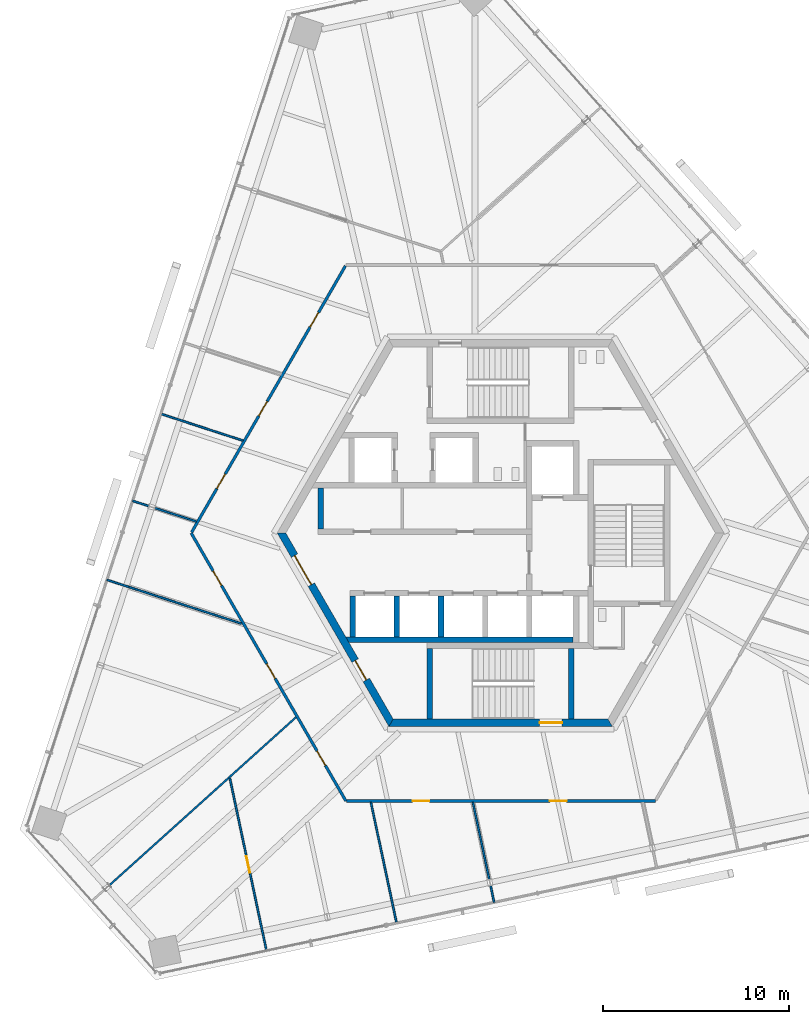
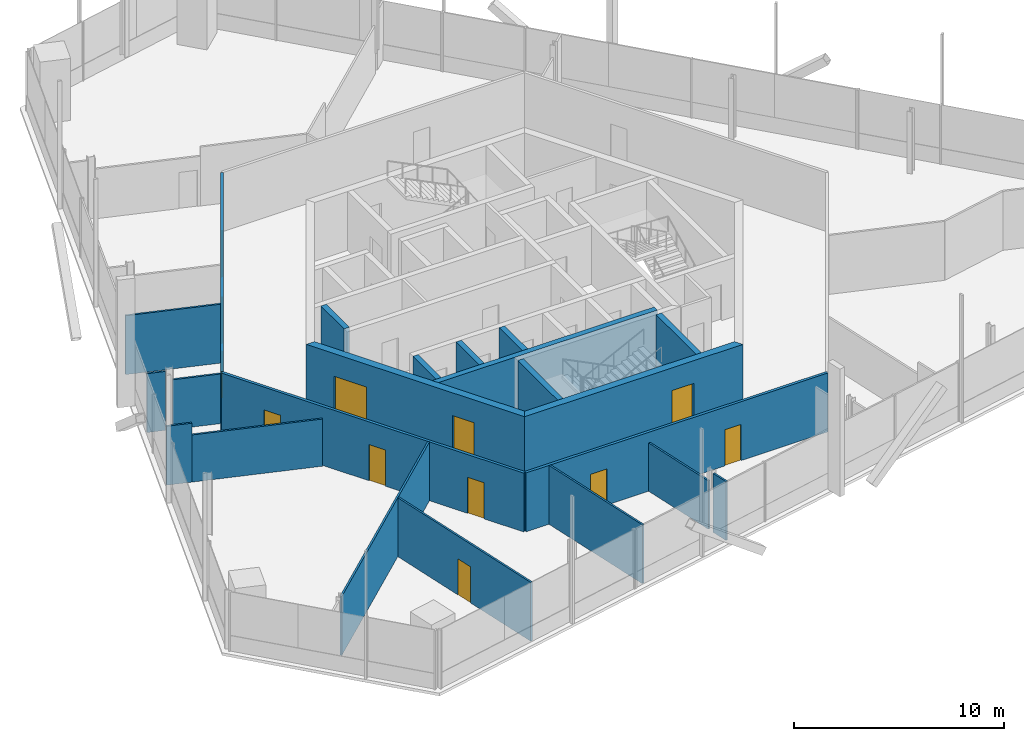
# One storey, part 10 of 17: 22 walls, 12 doors, 12 openings.
"""IFC4 building model written with IfcOpenShell, lengths in metres."""

from ifc_helpers import new_model, si_unit, direction, frame, frame_2d, origin, place, context, subcontext, project, spatial, polyline, rectangle, outline, extrude, source, transform, mapped, material, layer, layer_set, type_object, element, fill, save


model = new_model("IFC4")

# Units and contexts
model_context = context("Model", 3, precision=1e-05, world=origin(), true_north=direction((0.0, 1.0)))
body_context = subcontext(model_context, "Body", "Model", "MODEL_VIEW")
ifc_project = project(units=[si_unit("LENGTHUNIT", "METRE"), si_unit("AREAUNIT", "SQUARE_METRE"), si_unit("VOLUMEUNIT", "CUBIC_METRE"), si_unit("PLANEANGLEUNIT", "RADIAN"), si_unit("MASSUNIT", "GRAM", prefix="KILO")], contexts=[model_context])

# Site, building, storey
site_placement = place(None, origin())
site = spatial("IfcSite", under=ifc_project, at=site_placement, CompositionType="ELEMENT")
building_placement = place(site_placement, origin())
building = spatial("IfcBuilding", under=site, at=building_placement, Name="Triune Harvest Tower", CompositionType="ELEMENT")
storey_placement = place(building_placement, frame((0.0, 0.0, 281.10009765625)))
storey = spatial("IfcBuildingStorey", under=building, at=storey_placement, Name="L74", CompositionType="ELEMENT", Elevation=281.10009765625)

# Walls
ifc_material_1 = material(Name="Concrete 70 MPa", Category="concrete")
ifc_layer_1 = layer(ifc_material_1, 0.300048828125)
ifc_layer_set_1 = layer_set([ifc_layer_1], Name="Concrete 70 MPa")
wall_type_1 = type_object("IfcWallType", Name="Core wall 300", PredefinedType="SHEAR", material=ifc_layer_set_1)
wall_1_placement = place(storey_placement, frame((-8.10009765625, -5.739990234375, 0.0), z_axis=(0.0, 0.0, 1.0), x_axis=(1.0, 0.0, 0.0)))
element("IfcWall", 1, at=wall_1_placement, inside=storey, type_object=wall_type_1, Name="South back wall", PredefinedType="SHEAR", context=body_context, shape_type="SweptSolid", body=[
    extrude(outline(polyline([(12.0, -0.14990234375), (-0.039794921875, -0.14990234375), (-0.212890625, 0.14990234375), (12.0, 0.14990234375), (12.0, -0.14990234375)])), origin(), (0.0, 0.0, 1.0), 3.419921875),
])
wall_2_placement = place(storey_placement, frame((-9.64990234375, 0.2099609375, 0.0), z_axis=(0.0, 0.0, 1.0), x_axis=(0.0, 1.0, 0.0)))
element("IfcWall", 2, at=wall_2_placement, inside=storey, type_object=wall_type_1, Name="North end west wall", PredefinedType="SHEAR", context=body_context, shape_type="SweptSolid", body=[
    extrude(rectangle(XDim=2.199951171875, YDim=0.300048828125, at=frame_2d((1.10009765625, 0.0))), origin(), (0.0, 0.0, 1.0), 3.419921875),
])

# Wall, openings, doors
ifc_material_2 = material(Name="Gypsum board on steel studs", Category="steel")
ifc_layer_2 = layer(ifc_material_2, 0.14990234375)
ifc_layer_set_2 = layer_set([ifc_layer_2], Name="Gypsum board on steel studs")
wall_type_2 = type_object("IfcWallType", Name="Fire Partition 150 mm", PredefinedType="PARTITIONING", material=ifc_layer_set_2)
wall_3_placement = place(storey_placement, frame((-16.618896484375, 0.000244140625, 0.0), z_axis=(0.0, 0.0, 1.0), x_axis=(0.500000517071, -0.866025105253, 0.0)))
wall_3 = element("IfcWall", 3, at=wall_3_placement, inside=storey, type_object=wall_type_2, Name="Partition L74 009", PredefinedType="PARTITIONING", context=body_context, shape_type="SweptSolid", body=[
    extrude(rectangle(XDim=16.619140625, YDim=0.14990234375, at=frame_2d((8.3095703125, 0.0))), origin(), (0.0, 0.0, 1.0), 3.419921875),
])
opening_1_placement = place(wall_3_placement, frame((8.117919921875, 0.0, 0.0)))
opening_1 = element("IfcOpeningElement", 4, at=opening_1_placement, cuts=wall_3, Name="Opening L74-007", PredefinedType="OPENING", context=body_context, shape_type="SweptSolid", body=[
    extrude(rectangle(XDim=0.89990234375, YDim=2.10009765625, at=frame_2d((0.449951171875, 1.050048828125))), frame((0.0, 0.0849609375, 0.0), z_axis=(0.0, -1.0, 0.0), x_axis=(1.0, 0.0, 0.0)), (0.0, 0.0, 1.0), 0.169921875),
])
opening_2_placement = place(wall_3_placement, frame((2.35009765625, 0.0, 0.0)))
opening_2 = element("IfcOpeningElement", 5, at=opening_2_placement, cuts=wall_3, Name="Opening L74-008", PredefinedType="OPENING", context=body_context, shape_type="SweptSolid", body=[
    extrude(rectangle(XDim=0.89990234375, YDim=2.10009765625, at=frame_2d((0.449951171875, 1.050048828125))), frame((0.0, 0.0849609375, 0.0), z_axis=(0.0, -1.0, 0.0), x_axis=(1.0, 0.0, 0.0)), (0.0, 0.0, 1.0), 0.169921875),
])
opening_3_placement = place(wall_3_placement, frame((13.518798828125, 0.0, 0.0)))
opening_3 = element("IfcOpeningElement", 6, at=opening_3_placement, cuts=wall_3, Name="Opening L74-010", PredefinedType="OPENING", context=body_context, shape_type="SweptSolid", body=[
    extrude(rectangle(XDim=0.89990234375, YDim=2.10009765625, at=frame_2d((0.449951171875, 1.050048828125))), frame((0.0, 0.0849609375, 0.0), z_axis=(0.0, -1.0, 0.0), x_axis=(1.0, 0.0, 0.0)), (0.0, 0.0, 1.0), 0.169921875),
])
ifc_material_3 = material(Name="Timber and steel door set", Category="steel")
door_type_1 = type_object("IfcDoorType", Name="Single leaf door FD30 left hand 900 x 2100", OperationType="SINGLE_SWING_LEFT", PredefinedType="DOOR", material=ifc_material_3)
door_1_placement = place(opening_1_placement, origin())
door_1 = element("IfcDoor", 7, at=door_1_placement, inside=storey, type_object=door_type_1, Name="Door L74-007 Office 74.07", OperationType="SINGLE_SWING_LEFT", OverallHeight=2.10009765625, OverallWidth=0.89990234375, PredefinedType="DOOR", context=body_context, shape_type="SweptSolid", body=[
    extrude(rectangle(XDim=0.89990234375, YDim=2.10009765625, at=frame_2d((0.449951171875, 1.050048828125))), frame((0.0, 0.02490234375, 0.0), z_axis=(0.0, -1.0, 0.0), x_axis=(1.0, 0.0, 0.0)), (0.0, 0.0, 1.0), 0.050048828125),
])
fill(opening_1, door_1)
door_2_placement = place(opening_3_placement, origin())
door_2 = element("IfcDoor", 8, at=door_2_placement, inside=storey, type_object=door_type_1, Name="Door L74-010 Office 74.10", OperationType="SINGLE_SWING_LEFT", OverallHeight=2.10009765625, OverallWidth=0.89990234375, PredefinedType="DOOR", context=body_context, shape_type="SweptSolid", body=[
    extrude(rectangle(XDim=0.89990234375, YDim=2.10009765625, at=frame_2d((0.449951171875, 1.050048828125))), frame((0.0, 0.02490234375, 0.0), z_axis=(0.0, -1.0, 0.0), x_axis=(1.0, 0.0, 0.0)), (0.0, 0.0, 1.0), 0.050048828125),
])
fill(opening_3, door_2)
ifc_material_4 = material(Name="Timber and steel door set", Category="steel")
door_type_2 = type_object("IfcDoorType", Name="Single leaf door FD30 right hand 900 x 2100", OperationType="SINGLE_SWING_RIGHT", PredefinedType="DOOR", material=ifc_material_4)
door_3_placement = place(opening_2_placement, origin())
door_3 = element("IfcDoor", 9, at=door_3_placement, inside=storey, type_object=door_type_2, Name="Door L74-008 Office 74.08", OperationType="SINGLE_SWING_RIGHT", OverallHeight=2.10009765625, OverallWidth=0.89990234375, PredefinedType="DOOR", context=body_context, shape_type="SweptSolid", body=[
    extrude(rectangle(XDim=0.89990234375, YDim=2.10009765625, at=frame_2d((0.449951171875, 1.050048828125))), frame((0.0, 0.02490234375, 0.0), z_axis=(0.0, -1.0, 0.0), x_axis=(1.0, 0.0, 0.0)), (0.0, 0.0, 1.0), 0.050048828125),
])
fill(opening_2, door_3)

wall_4_placement = place(storey_placement, frame((-8.269287109375, -14.392333984375, 0.0), z_axis=(0.0, 0.0, 1.0), x_axis=(1.0, 0.0, 0.0)))
wall_4 = element("IfcWall", 10, at=wall_4_placement, inside=storey, type_object=wall_type_2, Name="Partition L74 021", PredefinedType="PARTITIONING", context=body_context, shape_type="SweptSolid", body=[
    extrude(rectangle(XDim=16.57861328125, YDim=0.14990234375, at=frame_2d((8.289306640625, 0.0))), origin(), (0.0, 0.0, 1.0), 3.419921875),
])
opening_4_placement = place(wall_4_placement, frame((3.538330078125, 0.0, 0.0)))
opening_4 = element("IfcOpeningElement", 11, at=opening_4_placement, cuts=wall_4, Name="Opening L74-011", PredefinedType="OPENING", context=body_context, shape_type="SweptSolid", body=[
    extrude(rectangle(XDim=0.89990234375, YDim=2.10009765625, at=frame_2d((0.449951171875, 1.050048828125))), frame((0.0, 0.0849609375, 0.0), z_axis=(0.0, -1.0, 0.0), x_axis=(1.0, 0.0, 0.0)), (0.0, 0.0, 1.0), 0.169921875),
])
opening_5_placement = place(wall_4_placement, frame((10.914794921875, 0.0, 0.0)))
opening_5 = element("IfcOpeningElement", 12, at=opening_5_placement, cuts=wall_4, Name="Opening L74-012", PredefinedType="OPENING", context=body_context, shape_type="SweptSolid", body=[
    extrude(rectangle(XDim=0.89990234375, YDim=2.10009765625, at=frame_2d((0.449951171875, 1.050048828125))), frame((0.0, 0.0849609375, 0.0), z_axis=(0.0, -1.0, 0.0), x_axis=(1.0, 0.0, 0.0)), (0.0, 0.0, 1.0), 0.169921875),
])
door_4_placement = place(opening_5_placement, origin())
door_4 = element("IfcDoor", 13, at=door_4_placement, inside=storey, type_object=door_type_1, Name="Door L74-012 Board Room 74.12", OperationType="SINGLE_SWING_LEFT", OverallHeight=2.10009765625, OverallWidth=0.89990234375, PredefinedType="DOOR", context=body_context, shape_type="SweptSolid", body=[
    extrude(rectangle(XDim=0.89990234375, YDim=2.10009765625, at=frame_2d((0.449951171875, 1.050048828125))), frame((0.0, 0.02490234375, 0.0), z_axis=(0.0, -1.0, 0.0), x_axis=(1.0, 0.0, 0.0)), (0.0, 0.0, 1.0), 0.050048828125),
])
fill(opening_5, door_4)
door_5_placement = place(opening_4_placement, origin())
door_5 = element("IfcDoor", 14, at=door_5_placement, inside=storey, type_object=door_type_2, Name="Door L74-011 Office 74.11", OperationType="SINGLE_SWING_RIGHT", OverallHeight=2.10009765625, OverallWidth=0.89990234375, PredefinedType="DOOR", context=body_context, shape_type="SweptSolid", body=[
    extrude(rectangle(XDim=0.89990234375, YDim=2.10009765625, at=frame_2d((0.449951171875, 1.050048828125))), frame((0.0, 0.02490234375, 0.0), z_axis=(0.0, -1.0, 0.0), x_axis=(1.0, 0.0, 0.0)), (0.0, 0.0, 1.0), 0.050048828125),
])
fill(opening_4, door_5)

wall_5_placement = place(storey_placement, frame((-16.59375, 0.043212890625, 0.0), z_axis=(0.0, 0.0, 1.0), x_axis=(0.499995384604, 0.866028068468, 0.0)))
wall_5 = element("IfcWall", 15, at=wall_5_placement, inside=storey, type_object=wall_type_2, Name="Partition L74 031", PredefinedType="PARTITIONING", context=body_context, shape_type="SweptSolid", body=[
    extrude(rectangle(XDim=16.518798828125, YDim=0.14990234375, at=frame_2d((8.25927734375, 0.0))), origin(), (0.0, 0.0, 1.0), 3.419921875),
])
opening_6_placement = place(wall_5_placement, frame((12.71875, 0.0, 0.0)))
opening_6 = element("IfcOpeningElement", 16, at=opening_6_placement, cuts=wall_5, Name="Opening L74-004", PredefinedType="OPENING", context=body_context, shape_type="SweptSolid", body=[
    extrude(rectangle(XDim=0.89990234375, YDim=2.10009765625, at=frame_2d((0.449951171875, 1.050048828125))), frame((0.0, 0.0849609375, 0.0), z_axis=(0.0, -1.0, 0.0), x_axis=(1.0, 0.0, 0.0)), (0.0, 0.0, 1.0), 0.169921875),
])
opening_7_placement = place(wall_5_placement, frame((2.70654296875, 0.0, 0.0)))
opening_7 = element("IfcOpeningElement", 17, at=opening_7_placement, cuts=wall_5, Name="Opening L74-005", PredefinedType="OPENING", context=body_context, shape_type="SweptSolid", body=[
    extrude(rectangle(XDim=0.89990234375, YDim=2.10009765625, at=frame_2d((0.449951171875, 1.050048828125))), frame((0.0, 0.0849609375, 0.0), z_axis=(0.0, -1.0, 0.0), x_axis=(1.0, 0.0, 0.0)), (0.0, 0.0, 1.0), 0.169921875),
])
opening_8_placement = place(wall_5_placement, frame((7.2138671875, 0.0, 0.0)))
opening_8 = element("IfcOpeningElement", 18, at=opening_8_placement, cuts=wall_5, Name="Opening L74-006", PredefinedType="OPENING", context=body_context, shape_type="SweptSolid", body=[
    extrude(rectangle(XDim=0.89990234375, YDim=2.10009765625, at=frame_2d((0.449951171875, 1.050048828125))), frame((0.0, 0.0849609375, 0.0), z_axis=(0.0, -1.0, 0.0), x_axis=(1.0, 0.0, 0.0)), (0.0, 0.0, 1.0), 0.169921875),
])
door_6_placement = place(opening_7_placement, origin())
door_6 = element("IfcDoor", 19, at=door_6_placement, inside=storey, type_object=door_type_1, Name="Door L74-005 Office 74.05", OperationType="SINGLE_SWING_LEFT", OverallHeight=2.10009765625, OverallWidth=0.89990234375, PredefinedType="DOOR", context=body_context, shape_type="SweptSolid", body=[
    extrude(rectangle(XDim=0.89990234375, YDim=2.10009765625, at=frame_2d((0.449951171875, 1.050048828125))), frame((0.0, 0.02490234375, 0.0), z_axis=(0.0, -1.0, 0.0), x_axis=(1.0, 0.0, 0.0)), (0.0, 0.0, 1.0), 0.050048828125),
])
fill(opening_7, door_6)
door_7_placement = place(opening_8_placement, origin())
door_7 = element("IfcDoor", 20, at=door_7_placement, inside=storey, type_object=door_type_1, Name="Door L74-006 Office 74.06", OperationType="SINGLE_SWING_LEFT", OverallHeight=2.10009765625, OverallWidth=0.89990234375, PredefinedType="DOOR", context=body_context, shape_type="SweptSolid", body=[
    extrude(rectangle(XDim=0.89990234375, YDim=2.10009765625, at=frame_2d((0.449951171875, 1.050048828125))), frame((0.0, 0.02490234375, 0.0), z_axis=(0.0, -1.0, 0.0), x_axis=(1.0, 0.0, 0.0)), (0.0, 0.0, 1.0), 0.050048828125),
])
fill(opening_8, door_7)
door_8_placement = place(opening_6_placement, origin())
door_8 = element("IfcDoor", 21, at=door_8_placement, inside=storey, type_object=door_type_2, Name="Door L74-004 Pantry 74.04", OperationType="SINGLE_SWING_RIGHT", OverallHeight=2.10009765625, OverallWidth=0.89990234375, PredefinedType="DOOR", context=body_context, shape_type="SweptSolid", body=[
    extrude(rectangle(XDim=0.89990234375, YDim=2.10009765625, at=frame_2d((0.449951171875, 1.050048828125))), frame((0.0, 0.02490234375, 0.0), z_axis=(0.0, -1.0, 0.0), x_axis=(1.0, 0.0, 0.0)), (0.0, 0.0, 1.0), 0.050048828125),
])
fill(opening_6, door_8)

# Wall, opening, door
ifc_material_5 = material(Name="Gypsum board on steel studs", Category="steel")
ifc_layer_3 = layer(ifc_material_5, 0.10009765625)
ifc_layer_set_3 = layer_set([ifc_layer_3], Name="Gypsum board on steel studs")
wall_type_3 = type_object("IfcWallType", Name="Partition 100 mm", PredefinedType="PARTITIONING", material=ifc_layer_set_3)
wall_6_placement = place(storey_placement, frame((-14.543701171875, -13.165283203125, 0.0), z_axis=(0.0, 0.0, 1.0), x_axis=(0.207913603161, -0.978147194251, 0.0)))
wall_6 = element("IfcWall", 22, at=wall_6_placement, inside=storey, type_object=wall_type_3, Name="Partition L74 001", PredefinedType="PARTITIONING", context=body_context, shape_type="SweptSolid", body=[
    extrude(rectangle(XDim=9.47607421875, YDim=0.10009765625, at=frame_2d((4.738037109375, 0.0))), origin(), (0.0, 0.0, 1.0), 3.419921875),
])
opening_9_placement = place(wall_6_placement, frame((4.2900390625, 0.0, 0.0)))
opening_9 = element("IfcOpeningElement", 23, at=opening_9_placement, cuts=wall_6, Name="Opening L74-009", PredefinedType="OPENING", context=body_context, shape_type="SweptSolid", body=[
    extrude(rectangle(XDim=0.89990234375, YDim=2.10009765625, at=frame_2d((0.449951171875, 1.050048828125))), frame((0.0, 0.06005859375, 0.0), z_axis=(0.0, -1.0, 0.0), x_axis=(1.0, 0.0, 0.0)), (0.0, 0.0, 1.0), 0.1201171875),
])
ifc_material_6 = material(Name="Timber and steel door set", Category="steel")
door_type_3 = type_object("IfcDoorType", Name="Single leaf door left hand 900 x 2100", OperationType="SINGLE_SWING_LEFT", PredefinedType="DOOR", material=ifc_material_6)
door_9_placement = place(opening_9_placement, origin())
door_9 = element("IfcDoor", 24, at=door_9_placement, inside=storey, type_object=door_type_3, Name="Door L74-009 Project Room 74.09", OperationType="SINGLE_SWING_LEFT", OverallHeight=2.10009765625, OverallWidth=0.89990234375, PredefinedType="DOOR", context=body_context, shape_type="SweptSolid", body=[
    extrude(rectangle(XDim=0.89990234375, YDim=2.10009765625, at=frame_2d((0.449951171875, 1.050048828125))), frame((0.0, 0.02490234375, 0.0), z_axis=(0.0, -1.0, 0.0), x_axis=(1.0, 0.0, 0.0)), (0.0, 0.0, 1.0), 0.050048828125),
])
fill(opening_9, door_9)

# Walls
wall_7_placement = place(storey_placement, frame((-6.966552734375, -14.460693359375, 0.0), z_axis=(0.0, 0.0, 1.0), x_axis=(0.207900130808, -0.978150057818, 0.0)))
element("IfcWall", 25, at=wall_7_placement, inside=storey, type_object=wall_type_3, Name="Partition L74 002", PredefinedType="PARTITIONING", context=body_context, shape_type="SweptSolid", body=[
    extrude(rectangle(XDim=6.6337890625, YDim=0.10009765625, at=frame_2d((3.31689453125, 0.0))), origin(), (0.0, 0.0, 1.0), 3.419921875),
])
wall_8_placement = place(storey_placement, frame((-21.142578125, -2.517822265625, 0.0), z_axis=(0.0, 0.0, 1.0), x_axis=(0.951042764757, -0.309059314055, 0.0)))
element("IfcWall", 26, at=wall_8_placement, inside=storey, type_object=wall_type_3, Name="Partition L74 011", PredefinedType="PARTITIONING", context=body_context, shape_type="SweptSolid", body=[
    extrude(rectangle(XDim=1.23779296875, YDim=0.10009765625, at=frame_2d((0.618896484375, 0.0))), origin(), (0.0, 0.0, 1.0), 3.419921875),
])
wall_9_placement = place(storey_placement, frame((-18.245849609375, 6.397705078125, 0.0), z_axis=(0.0, 0.0, 1.0), x_axis=(0.951059966826, -0.309006374531, 0.0)))
element("IfcWall", 27, at=wall_9_placement, inside=storey, type_object=wall_type_3, Name="Partition L74 015", PredefinedType="PARTITIONING", context=body_context, shape_type="SweptSolid", body=[
    extrude(rectangle(XDim=4.640869140625, YDim=0.10009765625, at=frame_2d((2.3203125, 0.0))), origin(), (0.0, 0.0, 1.0), 3.419921875),
])
wall_10_placement = place(storey_placement, frame((-21.017578125, -18.923828125, 0.0), z_axis=(0.0, 0.0, 1.0), x_axis=(0.743170020761, 0.669102623102, 0.0)))
element("IfcWall", 28, at=wall_10_placement, inside=storey, type_object=wall_type_3, Name="Partition L74 025", PredefinedType="PARTITIONING", context=body_context, shape_type="SweptSolid", body=[
    extrude(rectangle(XDim=13.497802734375, YDim=0.10009765625, at=frame_2d((6.7490234375, 0.0))), origin(), (0.0, 0.0, 1.0), 3.419921875),
])

# Wall, openings, doors
ifc_material_7 = material(Name="Concrete 70 MPa", Category="concrete")
ifc_layer_4 = layer(ifc_material_7, 0.39990234375)
ifc_layer_set_4 = layer_set([ifc_layer_4], Name="Concrete 70 MPa")
wall_type_4 = type_object("IfcWallType", Name="Core wall 400", PredefinedType="SHEAR", material=ifc_layer_set_4)
shared_shape_1 = source(origin(), body_context, "Body", "SweptSolid", [
    extrude(outline(polyline([(-0.115478515625, -0.199951171875), (11.884521484375, -0.199951171875), (11.653564453125, 0.199951171875), (0.115478515625, 0.199951171875), (-0.115478515625, -0.199951171875)])), origin(), (0.0, 0.0, 1.0), 3.419921875),
])
wall_11_placement = place(storey_placement, frame((-11.76904296875, 0.0, 0.0), z_axis=(0.0, 0.0, 1.0), x_axis=(0.499996592174, -0.866027371285, 0.0)))
wall_11 = element("IfcWall", 29, at=wall_11_placement, inside=storey, type_object=wall_type_4, Name="Hexagon 3 wall", PredefinedType="SHEAR", context=body_context, shape_type="MappedRepresentation", body=[
    mapped(shared_shape_1, transform((0.0, 0.0, 0.0), scale=1.0)),
])
opening_10_placement = place(wall_11_placement, frame((1.404541015625, 0.0, 0.0)))
opening_10 = element("IfcOpeningElement", 30, at=opening_10_placement, cuts=wall_11, Name="Opening CD-LS", PredefinedType="OPENING", context=body_context, shape_type="SweptSolid", body=[
    extrude(rectangle(XDim=1.800048828125, YDim=2.10009765625, at=frame_2d((0.89990234375, 1.050048828125))), frame((0.0, 0.2099609375, 0.0), z_axis=(0.0, -1.0, 0.0), x_axis=(1.0, 0.0, 0.0)), (0.0, 0.0, 1.0), 0.419921875),
])
opening_11_placement = place(wall_11_placement, frame((7.91455078125, 0.0, 0.0)))
opening_11 = element("IfcOpeningElement", 31, at=opening_11_placement, cuts=wall_11, Name="Opening CD-SWP", PredefinedType="OPENING", context=body_context, shape_type="SweptSolid", body=[
    extrude(rectangle(XDim=1.199951171875, YDim=2.10009765625, at=frame_2d((0.60009765625, 1.050048828125))), frame((0.0, 0.2099609375, 0.0), z_axis=(0.0, -1.0, 0.0), x_axis=(1.0, 0.0, 0.0)), (0.0, 0.0, 1.0), 0.419921875),
])
ifc_material_8 = material(Name="Steel S235", Category="steel")
door_type_4 = type_object("IfcDoorType", Name="Lobby door 1800 FD120", OperationType="DOUBLE_DOOR_DOUBLE_SWING", PredefinedType="DOOR", material=ifc_material_8)
door_10_placement = place(opening_10_placement, frame((1.800048828125, 0.0, 0.0), z_axis=(0.0, 0.0, 1.0), x_axis=(-1.0, 0.0, 0.0)))
door_10 = element("IfcDoor", 32, at=door_10_placement, inside=storey, type_object=door_type_4, Name="Door CD-LS", OperationType="DOUBLE_DOOR_DOUBLE_SWING", OverallHeight=2.10009765625, OverallWidth=1.800048828125, PredefinedType="DOOR", context=body_context, shape_type="SweptSolid", body=[
    extrude(rectangle(XDim=1.800048828125, YDim=2.10009765625, at=frame_2d((0.89990234375, 1.050048828125))), frame((0.0, 0.02490234375, 0.0), z_axis=(0.0, -1.0, 0.0), x_axis=(1.0, 0.0, 0.0)), (0.0, 0.0, 1.0), 0.050048828125),
])
fill(opening_10, door_10)
ifc_material_9 = material(Name="Steel S235", Category="steel")
door_type_5 = type_object("IfcDoorType", Name="Service door 1200 FD120", OperationType="SINGLE_SWING_LEFT", PredefinedType="DOOR", material=ifc_material_9)
door_11_placement = place(opening_11_placement, frame((1.199951171875, 0.0, 0.0), z_axis=(0.0, 0.0, 1.0), x_axis=(-1.0, 0.0, 0.0)))
door_11 = element("IfcDoor", 33, at=door_11_placement, inside=storey, type_object=door_type_5, Name="Door CD-SWP", OperationType="SINGLE_SWING_RIGHT", OverallHeight=2.10009765625, OverallWidth=1.199951171875, PredefinedType="DOOR", context=body_context, shape_type="SweptSolid", body=[
    extrude(rectangle(XDim=1.199951171875, YDim=2.10009765625, at=frame_2d((0.60009765625, 1.050048828125))), frame((0.0, 0.02490234375, 0.0), z_axis=(0.0, -1.0, 0.0), x_axis=(1.0, 0.0, 0.0)), (0.0, 0.0, 1.0), 0.050048828125),
])
fill(opening_11, door_11)

# Wall, opening, door
wall_12_placement = place(storey_placement, frame((-5.884521484375, -10.1923828125, 0.0), z_axis=(0.0, 0.0, 1.0), x_axis=(1.0, 0.0, 0.0)))
wall_12 = element("IfcWall", 34, at=wall_12_placement, inside=storey, type_object=wall_type_4, Name="Hexagon 4 wall", PredefinedType="SHEAR", context=body_context, shape_type="MappedRepresentation", body=[
    mapped(shared_shape_1, transform((0.0, 0.0, 0.0), scale=1.0)),
])
opening_12_placement = place(wall_12_placement, frame((7.984619140625, 0.0, 0.0)))
opening_12 = element("IfcOpeningElement", 35, at=opening_12_placement, cuts=wall_12, Name="Opening CD-S2P", PredefinedType="OPENING", context=body_context, shape_type="SweptSolid", body=[
    extrude(rectangle(XDim=1.199951171875, YDim=2.10009765625, at=frame_2d((0.60009765625, 1.050048828125))), frame((0.0, 0.2099609375, 0.0), z_axis=(0.0, -1.0, 0.0), x_axis=(1.0, 0.0, 0.0)), (0.0, 0.0, 1.0), 0.419921875),
])
ifc_material_10 = material(Name="Steel S235", Category="steel")
door_type_6 = type_object("IfcDoorType", Name="Stair door 1200 FD120", OperationType="SINGLE_SWING_LEFT", PredefinedType="DOOR", material=ifc_material_10)
door_12_placement = place(opening_12_placement, frame((1.199951171875, 0.0, 0.0), z_axis=(0.0, 0.0, 1.0), x_axis=(-1.0, 0.0, 0.0)))
door_12 = element("IfcDoor", 36, at=door_12_placement, inside=storey, type_object=door_type_6, Name="Door CD-S2P", OperationType="SINGLE_SWING_RIGHT", OverallHeight=2.10009765625, OverallWidth=1.199951171875, PredefinedType="DOOR", context=body_context, shape_type="SweptSolid", body=[
    extrude(rectangle(XDim=1.199951171875, YDim=2.10009765625, at=frame_2d((0.60009765625, 1.050048828125))), frame((0.0, 0.02490234375, 0.0), z_axis=(0.0, -1.0, 0.0), x_axis=(1.0, 0.0, 0.0)), (0.0, 0.0, 1.0), 0.050048828125),
])
fill(opening_12, door_12)

# Walls
shared_shape_2 = source(origin(), body_context, "Body", "SweptSolid", [
    extrude(rectangle(XDim=2.2001953125, YDim=0.300048828125, at=frame_2d((1.10009765625, 0.0))), origin(), (0.0, 0.0, 1.0), 3.419921875),
])
for number, where, z_axis, x_axis, name in (
    (37, (-7.949951171875, -5.590087890625, 0.0), (0.0, 0.0, 1.0), (0.0, 1.0, 0.0), "South end west wall"),
    (38, (-5.574951171875, -5.590087890625, 0.0), (0.0, 0.0, 1.0), (0.0, 1.0, 0.0), "South cross 1 wall"),
    (39, (-3.199951171875, -5.590087890625, 0.0), (0.0, 0.0, 1.0), (0.0, 1.0, 0.0), "South cross 2 wall"),
):
    element("IfcWall", number, at=place(storey_placement, frame(where, z_axis=z_axis, x_axis=x_axis)), inside=storey, type_object=wall_type_1, Name=name, PredefinedType="SHEAR", context=body_context, shape_type="MappedRepresentation", body=[
        mapped(shared_shape_2, transform((0.0, 0.0, 0.0), scale=1.0)),
    ])
shared_shape_3 = source(origin(), body_context, "Body", "SweptSolid", [
    extrude(outline(polyline([(3.800048828125, -0.14990234375), (-0.00439453125, -0.14990234375), (-0.00439453125, 0.14990234375), (3.800048828125, 0.14990234375), (3.800048828125, -0.14990234375)])), origin(), (0.0, 0.0, 1.0), 3.419921875),
])
for number, where, z_axis, x_axis, name in (
    (40, (-3.800048828125, -9.989990234375, 0.0), (0.0, 0.0, 1.0), (0.0, 1.0, 0.0), "Stair s west wall"),
    (41, (3.800048828125, -9.989990234375, 0.0), (0.0, 0.0, 1.0), (0.0, 1.0, 0.0), "Stair s east wall"),
):
    element("IfcWall", number, at=place(storey_placement, frame(where, z_axis=z_axis, x_axis=x_axis)), inside=storey, type_object=wall_type_1, Name=name, PredefinedType="SHEAR", context=body_context, shape_type="MappedRepresentation", body=[
        mapped(shared_shape_3, transform((0.0, 0.0, 0.0), scale=1.0)),
    ])
shared_shape_4 = source(origin(), body_context, "Body", "SweptSolid", [
    extrude(rectangle(XDim=4.239013671875, YDim=0.10009765625, at=frame_2d((2.11962890625, 0.0))), origin(), (0.0, 0.0, 1.0), 2.8076171875),
])
wall_13_placement = place(storey_placement, frame((-1.489990234375, -14.460693359375, 0.0), z_axis=(0.0, 0.0, 1.0), x_axis=(0.207908349196, -0.978148311011, 0.0)))
element("IfcWall", 42, at=wall_13_placement, inside=storey, type_object=wall_type_3, Name="Partition L74 003", PredefinedType="PARTITIONING", context=body_context, shape_type="MappedRepresentation", body=[
    mapped(shared_shape_4, transform((0.0, 0.0, 0.0), scale=1.0)),
])
shared_shape_5 = source(origin(), body_context, "Body", "SweptSolid", [
    extrude(rectangle(XDim=0.91552734375, YDim=0.10009765625, at=frame_2d((0.457763671875, 0.0))), origin(), (0.0, 0.0, 1.0), 3.419921875),
])
wall_14_placement = place(storey_placement, frame((-0.537841796875, -18.940185546875, 0.0), z_axis=(0.0, 0.0, 1.0), x_axis=(0.207743933161, -0.978183243689, 0.0)))
element("IfcWall", 43, at=wall_14_placement, inside=storey, type_object=wall_type_3, Name="Partition L74 004", PredefinedType="PARTITIONING", context=body_context, shape_type="MappedRepresentation", body=[
    mapped(shared_shape_5, transform((0.0, 0.0, 0.0), scale=1.0)),
])
shared_shape_6 = source(origin(), body_context, "Body", "SweptSolid", [
    extrude(rectangle(XDim=6.358642578125, YDim=0.10009765625, at=frame_2d((3.17919921875, 0.0))), origin(), (0.0, 0.0, 1.0), 2.73681640625),
])
wall_15_placement = place(storey_placement, frame((-19.96533203125, -2.900390625, 0.0), z_axis=(0.0, 0.0, 1.0), x_axis=(0.951059460023, -0.309007934367, 0.0)))
element("IfcWall", 44, at=wall_15_placement, inside=storey, type_object=wall_type_3, Name="Partition L74 011a", PredefinedType="PARTITIONING", context=body_context, shape_type="MappedRepresentation", body=[
    mapped(shared_shape_6, transform((0.0, 0.0, 0.0), scale=1.0)),
])
shared_shape_7 = source(origin(), body_context, "Body", "SweptSolid", [
    extrude(rectangle(XDim=0.915283203125, YDim=0.10009765625, at=frame_2d((0.45751953125, 0.0))), origin(), (0.0, 0.0, 1.0), 3.419921875),
])
wall_16_placement = place(storey_placement, frame((-19.76318359375, 1.727783203125, 0.0), z_axis=(0.0, 0.0, 1.0), x_axis=(0.951004658838, -0.309176549675, 0.0)))
element("IfcWall", 45, at=wall_16_placement, inside=storey, type_object=wall_type_3, Name="Partition L74 012", PredefinedType="PARTITIONING", context=body_context, shape_type="MappedRepresentation", body=[
    mapped(shared_shape_7, transform((0.0, 0.0, 0.0), scale=1.0)),
])
shared_shape_8 = source(origin(), body_context, "Body", "SweptSolid", [
    extrude(rectangle(XDim=2.34130859375, YDim=0.10009765625, at=frame_2d((1.170654296875, 0.0))), origin(), (0.0, 0.0, 1.0), 2.8837890625),
])
wall_17_placement = place(storey_placement, frame((-18.56884765625, 1.339599609375, 0.0), z_axis=(0.0, 0.0, 1.0), x_axis=(0.951074673379, -0.30896110703, 0.0)))
element("IfcWall", 46, at=wall_17_placement, inside=storey, type_object=wall_type_3, Name="Partition L74 013", PredefinedType="PARTITIONING", context=body_context, shape_type="MappedRepresentation", body=[
    mapped(shared_shape_8, transform((0.0, 0.0, 0.0), scale=1.0)),
])

save(model, "model.ifc")
